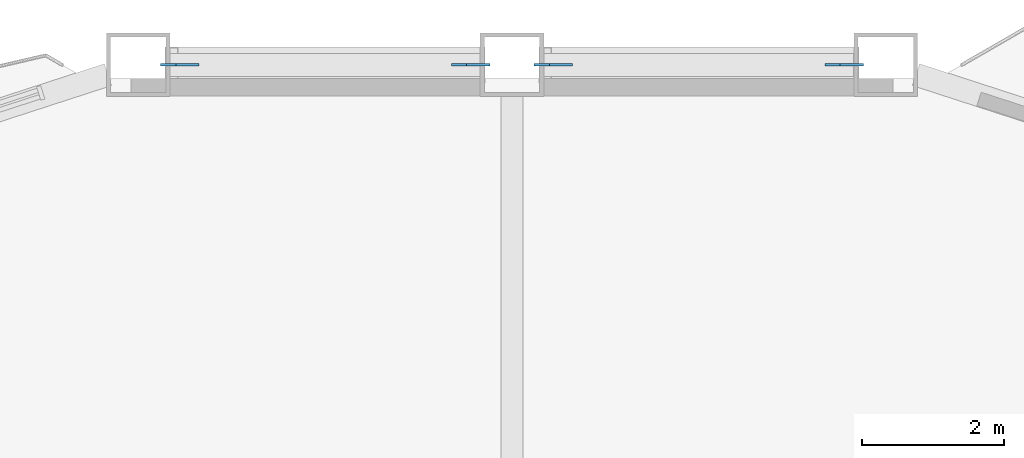
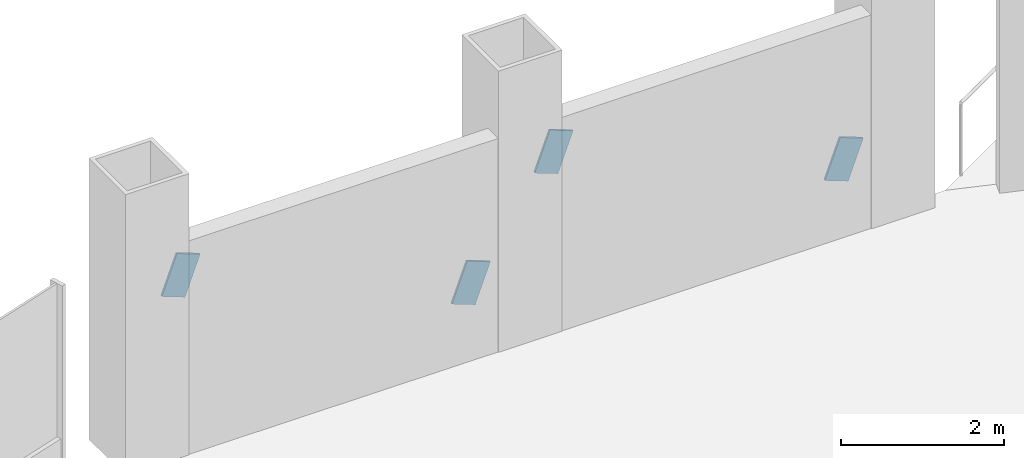
# One storey, part 16 of 21: 4 discrete accessories.
"""IFC4 building model written with IfcOpenShell, lengths in metres."""

from ifc_helpers import new_model, si_unit, direction, frame, origin, origin_2d, place, context, subcontext, project, spatial, rectangle, extrude, material, material_profile, profile_set, type_object, element, save


model = new_model("IFC4")

# Units and contexts
model_context = context("Model", 3, precision=1e-05, world=origin(), true_north=direction((0.0, 1.0)))
body_context = subcontext(model_context, "Body", "Model", "MODEL_VIEW")
ifc_project = project(units=[si_unit("LENGTHUNIT", "METRE"), si_unit("AREAUNIT", "SQUARE_METRE"), si_unit("VOLUMEUNIT", "CUBIC_METRE"), si_unit("PLANEANGLEUNIT", "RADIAN"), si_unit("MASSUNIT", "GRAM", prefix="KILO")], contexts=[model_context])

# Site, building, storey
site_placement = place(None, origin())
site = spatial("IfcSite", under=ifc_project, at=site_placement, CompositionType="ELEMENT")
building_placement = place(site_placement, origin())
building = spatial("IfcBuilding", under=site, at=building_placement, Name="Cormorant Prow Tower", CompositionType="ELEMENT")
storey_placement = place(building_placement, frame((0.0, 0.0, 108.0)))
storey = spatial("IfcBuildingStorey", under=building, at=storey_placement, Name="L22", CompositionType="ELEMENT", Elevation=108.0)

# Discrete accessories
ifc_material = material(Name="Structural steel ASTM A500 Gr C", Category="steel")
ifc_material_profile = material_profile(ifc_material, rectangle(XDim=0.031982421875, YDim=0.60791015625, at=origin_2d()), Name="Gusset plate 32x608")
ifc_profile_set = profile_set([ifc_material_profile], Name="Structural steel ASTM A500 Gr C")
discrete_accessory_type = type_object("IfcDiscreteAccessoryType", Name="Gusset plate 32x608", PredefinedType="BRACKET", material=ifc_profile_set)
for number, where, z_axis, x_axis, name in (
    (1, (4.521240234375, 32.487060546875, 0.882568359375), (0.935379822228, 0.0, -0.353644720261), (0.0, 1.0, 0.0), "Gusset plate GP1 L22.N00.g0"),
    (2, (0.74853515625, 32.487060546875, 2.306396484375), (-0.935697286394, 0.0, 0.35280389487), (0.0, -1.0, 0.0), "Gusset plate GP1 L22.N00.g1"),
):
    element("IfcDiscreteAccessory", number, at=place(storey_placement, frame(where, z_axis=z_axis, x_axis=x_axis)), inside=storey, type_object=discrete_accessory_type, Name=name, PredefinedType="BRACKET", context=body_context, shape_type="SweptSolid", body=[
        extrude(rectangle(XDim=0.031982421875, YDim=0.60791015625, at=origin_2d()), origin(), (0.0, 0.0, 1.0), 0.35009765625),
    ])
discrete_accessory_1_placement = place(storey_placement, frame((-0.74853515625, 32.487060546875, 0.882568359375), z_axis=(0.935466972489, 0.0, -0.35341412448), x_axis=(0.0, 1.0, 0.0)))
element("IfcDiscreteAccessory", 3, at=discrete_accessory_1_placement, inside=storey, type_object=discrete_accessory_type, Name="Gusset plate GP1 L22.N01.g0", PredefinedType="BRACKET", context=body_context, shape_type="SweptSolid", body=[
    extrude(rectangle(XDim=0.031982421875, YDim=0.60791015625, at=origin_2d()), origin(), (0.0, 0.0, 1.0), 0.350341796875),
])
discrete_accessory_2_placement = place(storey_placement, frame((-4.521240234375, 32.487060546875, 2.306396484375), z_axis=(-0.935610415408, 0.0, 0.353034205963), x_axis=(0.0, -1.0, 0.0)))
element("IfcDiscreteAccessory", 4, at=discrete_accessory_2_placement, inside=storey, type_object=discrete_accessory_type, Name="Gusset plate GP1 L22.N01.g1", PredefinedType="BRACKET", context=body_context, shape_type="SweptSolid", body=[
    extrude(rectangle(XDim=0.031982421875, YDim=0.60791015625, at=origin_2d()), origin(), (0.0, 0.0, 1.0), 0.349853515625),
])

save(model, "model.ifc")
